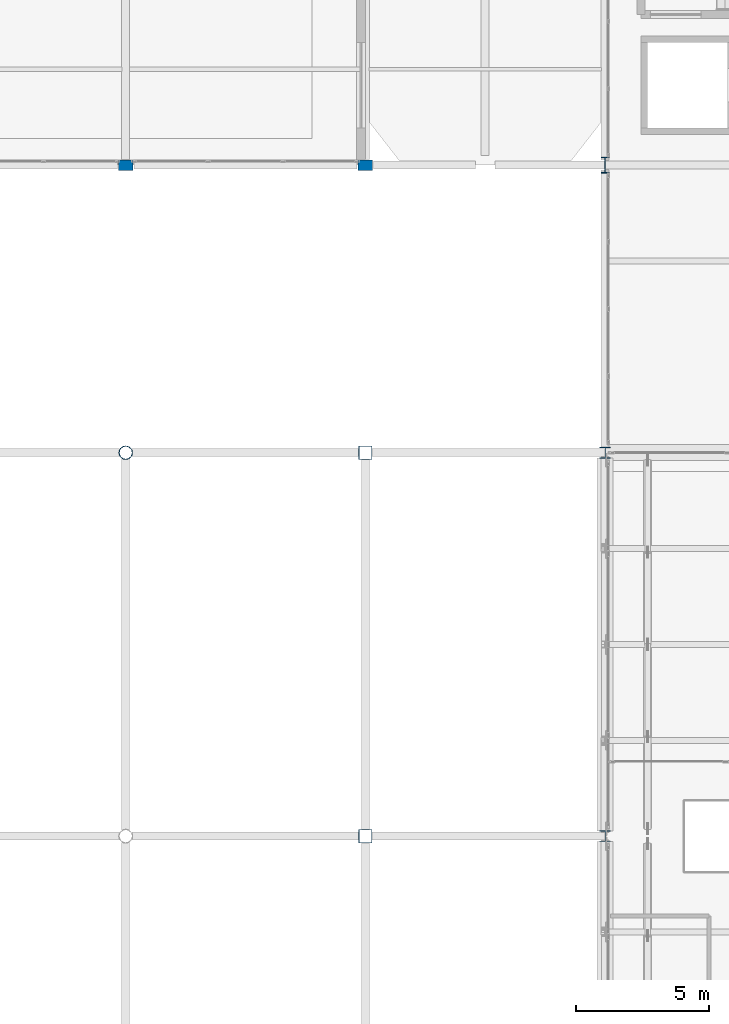
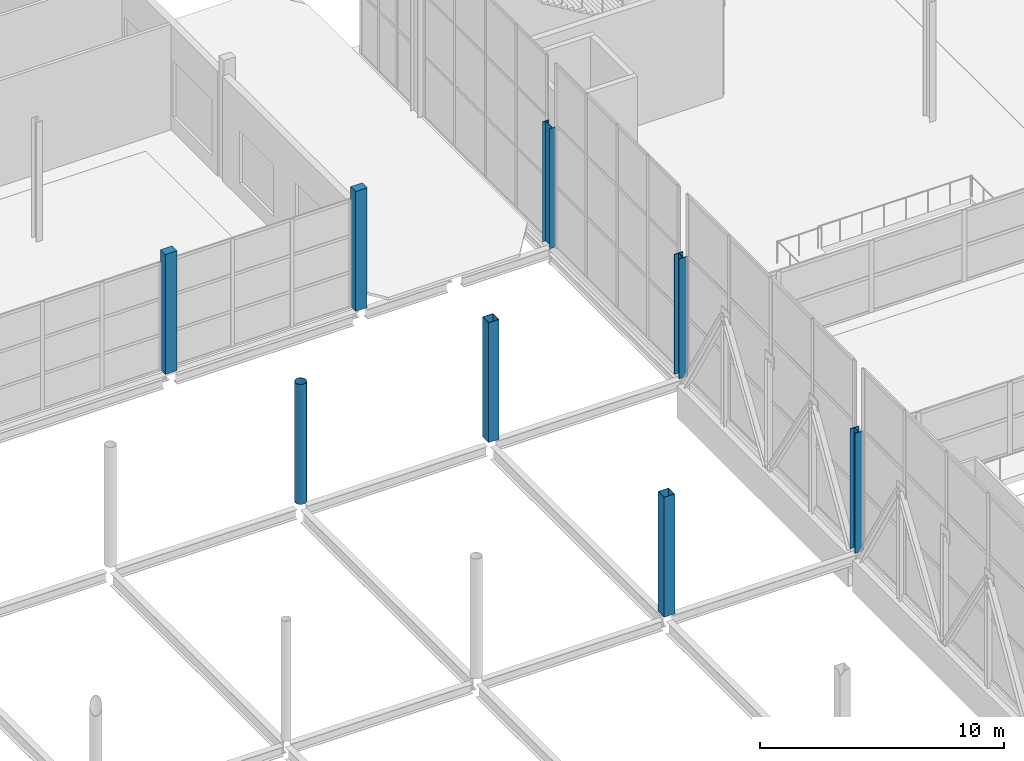
# One storey, part 8 of 191: 8 columns.
"""IFC4 building model written with IfcOpenShell, lengths in metres."""

from ifc_helpers import new_model, si_unit, direction, frame, origin, origin_2d, place, context, subcontext, project, spatial, rectangle, hollow_rectangle, hollow_circle, i_section, extrude, material, material_profile, profile_set, type_object, element, save


model = new_model("IFC4")

# Units and contexts
model_context = context("Model", 3, precision=1e-05, world=origin(), true_north=direction((0.0, 1.0)))
body_context = subcontext(model_context, "Body", "Model", "MODEL_VIEW")
ifc_project = project(units=[si_unit("LENGTHUNIT", "METRE"), si_unit("AREAUNIT", "SQUARE_METRE"), si_unit("VOLUMEUNIT", "CUBIC_METRE"), si_unit("PLANEANGLEUNIT", "RADIAN"), si_unit("MASSUNIT", "GRAM", prefix="KILO")], contexts=[model_context])

# Site, building, storey
site_placement = place(None, origin())
site = spatial("IfcSite", under=ifc_project, at=site_placement, CompositionType="ELEMENT")
building_placement = place(site_placement, origin())
building = spatial("IfcBuilding", under=site, at=building_placement, Name="Tamarisk Ironworks Central Station", CompositionType="ELEMENT")
storey_placement = place(building_placement, frame((0.0, 0.0, 6.60009765625)))
storey = spatial("IfcBuildingStorey", under=building, at=storey_placement, Name="L01", CompositionType="ELEMENT", Elevation=6.60009765625)

# Columns
ifc_material_1 = material(Name="Clay facing brickwork and mortar", Category="masonry")
ifc_material_profile_1 = material_profile(ifc_material_1, rectangle(XDim=0.550048828125, YDim=0.39990234375, at=origin_2d()), Name="PIL 550x400")
ifc_profile_set_1 = profile_set([ifc_material_profile_1], Name="Clay facing brickwork and mortar")
column_type_1 = type_object("IfcColumnType", Name="COL-PIL02", PredefinedType="PILASTER", material=ifc_profile_set_1)
for number, where, z_axis, x_axis, name in (
    (1, (36.0, 90.0, 0.0), (0.0, 0.0, 1.0), (1.0, 0.0, 0.0), "L01 column V4-05H"),
    (2, (45.0, 90.0, 0.0), (0.0, 0.0, 1.0), (1.0, 0.0, 0.0), "L01 column V4-06H"),
):
    element("IfcColumn", number, at=place(storey_placement, frame(where, z_axis=z_axis, x_axis=x_axis)), inside=storey, type_object=column_type_1, Name=name, PredefinedType="PILASTER", context=body_context, shape_type="SweptSolid", body=[
        extrude(rectangle(XDim=0.550048828125, YDim=0.39990234375, at=origin_2d()), origin(), (0.0, 0.0, 1.0), 6.0),
    ])
ifc_material_2 = material(Name="Structural steel S355J2", Category="steel")
ifc_material_profile_2 = material_profile(ifc_material_2, i_section(OverallWidth=0.406005859375, OverallDepth=0.416015625, WebThickness=0.022705078125, FlangeThickness=0.034912109375, at=origin_2d()), Name="HD 400x382")
ifc_profile_set_2 = profile_set([ifc_material_profile_2], Name="Structural steel S355J2")
column_type_2 = type_object("IfcColumnType", Name="COL-S02", PredefinedType="COLUMN", material=ifc_profile_set_2)
for number, where, z_axis, x_axis, name in (
    (3, (54.0, 64.800048828125, 0.0), (0.0, 0.0, 1.0), (1.0, 0.0, 0.0), "L01 column V2-07F"),
    (4, (54.0, 79.199951171875, 0.0), (0.0, 0.0, 1.0), (1.0, 0.0, 0.0), "L01 column V2-07G"),
):
    element("IfcColumn", number, at=place(storey_placement, frame(where, z_axis=z_axis, x_axis=x_axis)), inside=storey, type_object=column_type_2, Name=name, PredefinedType="COLUMN", context=body_context, shape_type="SweptSolid", body=[
        extrude(i_section(OverallWidth=0.406005859375, OverallDepth=0.416015625, WebThickness=0.022705078125, FlangeThickness=0.034912109375, at=origin_2d()), origin(), (0.0, 0.0, 1.0), 6.0),
    ])
ifc_material_profile_3 = material_profile(ifc_material_2, i_section(OverallWidth=0.300048828125, OverallDepth=0.60009765625, WebThickness=0.015380859375, FlangeThickness=0.029052734375, at=origin_2d()), Name="HEB 600")
ifc_profile_set_3 = profile_set([ifc_material_profile_3], Name="Structural steel S355J2")
column_type_3 = type_object("IfcColumnType", Name="COL-S05", PredefinedType="COLUMN", material=ifc_profile_set_3)
column_1_placement = place(storey_placement, frame((54.0, 90.0, 0.0), z_axis=(0.0, 0.0, 1.0), x_axis=(1.0, 0.0, 0.0)))
element("IfcColumn", 5, at=column_1_placement, inside=storey, type_object=column_type_3, Name="L01 column V2-07H", PredefinedType="COLUMN", context=body_context, shape_type="SweptSolid", body=[
    extrude(i_section(OverallWidth=0.300048828125, OverallDepth=0.60009765625, WebThickness=0.015380859375, FlangeThickness=0.029052734375, at=origin_2d()), origin(), (0.0, 0.0, 1.0), 6.0),
])
ifc_material_3 = material(Name="Structural steel S355J2H", Category="steel")
ifc_material_profile_4 = material_profile(ifc_material_3, hollow_rectangle(XDim=0.5, YDim=0.5, WallThickness=0.02001953125, at=origin_2d()), Name="SHS 500x500x20")
ifc_profile_set_4 = profile_set([ifc_material_profile_4], Name="Structural steel S355J2H")
column_type_4 = type_object("IfcColumnType", Name="COL-S13", PredefinedType="COLUMN", material=ifc_profile_set_4)
for number, where, z_axis, x_axis, name in (
    (6, (45.0, 64.800048828125, 0.0), (0.0, 0.0, 1.0), (1.0, 0.0, 0.0), "L01 column V1-06F"),
    (7, (45.0, 79.199951171875, 0.0), (0.0, 0.0, 1.0), (1.0, 0.0, 0.0), "L01 column V1-06G"),
):
    element("IfcColumn", number, at=place(storey_placement, frame(where, z_axis=z_axis, x_axis=x_axis)), inside=storey, type_object=column_type_4, Name=name, PredefinedType="COLUMN", context=body_context, shape_type="SweptSolid", body=[
        extrude(hollow_rectangle(XDim=0.5, YDim=0.5, WallThickness=0.02001953125, at=origin_2d()), origin(), (0.0, 0.0, 1.0), 6.0),
    ])
ifc_material_profile_5 = material_profile(ifc_material_3, hollow_circle(Radius=0.25390625, WallThickness=0.01611328125, at=origin_2d()), Name="CHS 508x16")
ifc_profile_set_5 = profile_set([ifc_material_profile_5], Name="Structural steel S355J2H")
column_type_5 = type_object("IfcColumnType", Name="COL-S16", PredefinedType="COLUMN", material=ifc_profile_set_5)
column_2_placement = place(storey_placement, frame((36.0, 79.199951171875, 0.0), z_axis=(0.0, 0.0, 1.0), x_axis=(1.0, 0.0, 0.0)))
element("IfcColumn", 8, at=column_2_placement, inside=storey, type_object=column_type_5, Name="L01 column V1-05G", PredefinedType="COLUMN", context=body_context, shape_type="SweptSolid", body=[
    extrude(hollow_circle(Radius=0.25390625, WallThickness=0.01611328125, at=origin_2d()), origin(), (0.0, 0.0, 1.0), 6.0),
])

save(model, "model.ifc")
